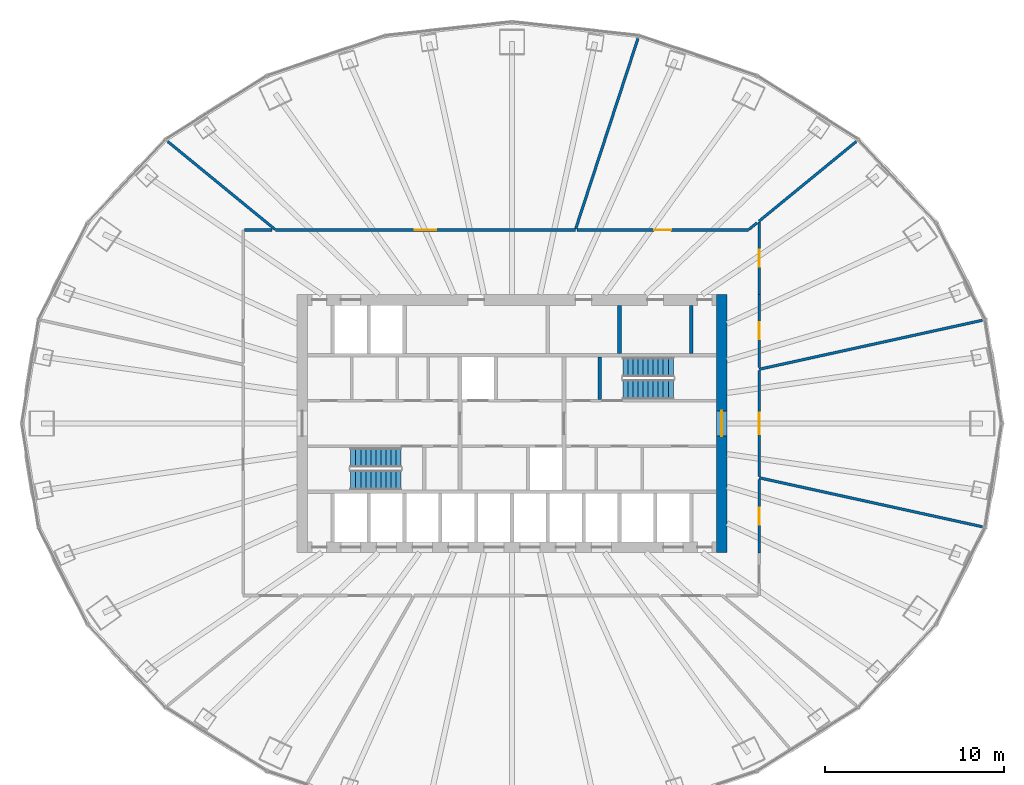
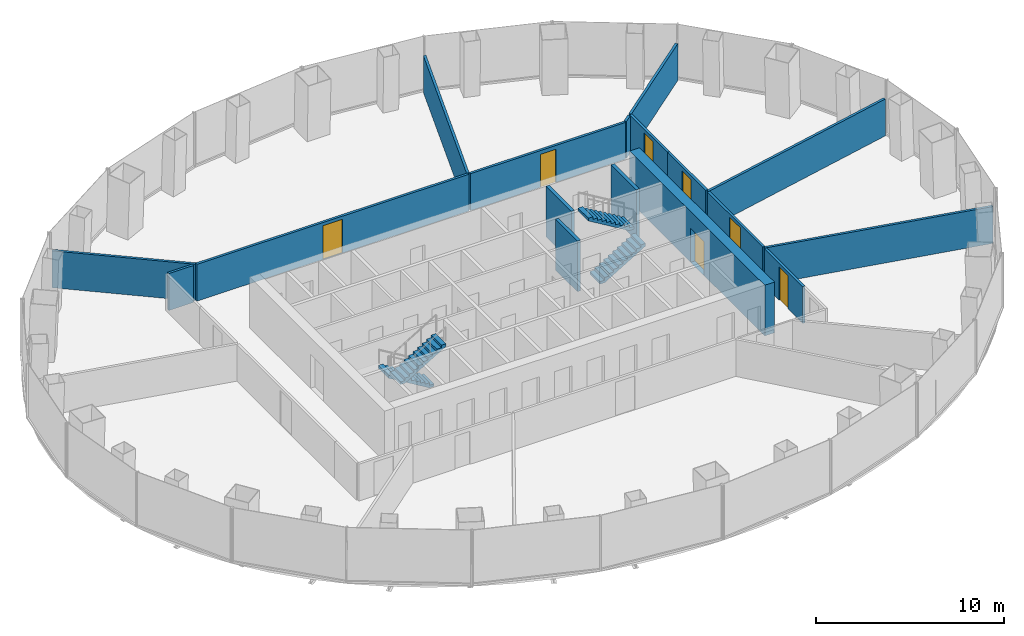
# One storey, part 10 of 11: 17 walls, 7 doors, 4 stair flights, 7 openings, 2 elements without a shape of their own.
"""IFC4 building model written with IfcOpenShell, lengths in metres."""

from ifc_helpers import new_model, si_unit, direction, frame, frame_2d, origin, place, context, subcontext, project, spatial, polyline, rectangle, outline, extrude, material, layer, layer_set, type_object, element, fill, aggregate, save


model = new_model("IFC4")

# Units and contexts
model_context = context("Model", 3, precision=1e-05, world=origin(), true_north=direction((0.0, 1.0)))
body_context = subcontext(model_context, "Body", "Model", "MODEL_VIEW")
ifc_project = project(units=[si_unit("LENGTHUNIT", "METRE"), si_unit("AREAUNIT", "SQUARE_METRE"), si_unit("VOLUMEUNIT", "CUBIC_METRE"), si_unit("PLANEANGLEUNIT", "RADIAN"), si_unit("MASSUNIT", "GRAM", prefix="KILO")], contexts=[model_context])

# Site, building, storey
site_placement = place(None, origin())
site = spatial("IfcSite", under=ifc_project, at=site_placement, CompositionType="ELEMENT")
building_placement = place(site_placement, origin())
building = spatial("IfcBuilding", under=site, at=building_placement, Name="Siaravel Broadcast Tower", CompositionType="ELEMENT")
storey_placement = place(building_placement, frame((0.0, 0.0, 63.0)))
storey = spatial("IfcBuildingStorey", under=building, at=storey_placement, Name="L14", CompositionType="ELEMENT", Elevation=63.0)

# Wall
ifc_material_1 = material(Name="Concrete blockwork", Category="masonry")
ifc_layer_1 = layer(ifc_material_1, 0.199951171875)
ifc_layer_set_1 = layer_set([ifc_layer_1], Name="Concrete blockwork")
wall_type_1 = type_object("IfcWallType", Name="Core partition 200", PredefinedType="PARTITIONING", material=ifc_layer_set_1)
wall_1_placement = place(storey_placement, frame((6.0, 3.89990234375, 0.0), z_axis=(0.0, 0.0, 1.0), x_axis=(0.0, 1.0, 0.0)))
element("IfcWall", 1, at=wall_1_placement, inside=storey, type_object=wall_type_1, Name="L14 core partition PFN6", PredefinedType="PARTITIONING", context=body_context, shape_type="SweptSolid", body=[
    extrude(rectangle(XDim=2.7001953125, YDim=0.199951171875, at=frame_2d((1.35009765625, 0.0))), origin(), (0.0, 0.0, 1.0), 3.300048828125),
])

# Wall, opening, door
ifc_material_2 = material(Name="Concrete C60/75", Category="concrete")
ifc_layer_2 = layer(ifc_material_2, 0.60009765625)
ifc_layer_set_2 = layer_set([ifc_layer_2], Name="Concrete C60/75")
wall_type_2 = type_object("IfcWallType", Name="Core wall 600", PredefinedType="SHEAR", material=ifc_layer_set_2)
wall_2_placement = place(storey_placement, frame((11.699951171875, -7.199951171875, 0.0), z_axis=(0.0, 0.0, 1.0), x_axis=(0.0, 1.0, 0.0)))
wall_2 = element("IfcWall", 2, at=wall_2_placement, inside=storey, type_object=wall_type_2, Name="L14 core wall OE", PredefinedType="SHEAR", context=body_context, shape_type="SweptSolid", body=[
    extrude(rectangle(XDim=14.39990234375, YDim=0.60009765625, at=frame_2d((7.199951171875, 0.0))), origin(), (0.0, 0.0, 1.0), 3.300048828125),
])
opening_1_placement = place(wall_2_placement, frame((6.5, 0.0, 0.0)))
opening_1 = element("IfcOpeningElement", 3, at=opening_1_placement, cuts=wall_2, Name="Opening L14-DX-E", PredefinedType="OPENING", context=body_context, shape_type="SweptSolid", body=[
    extrude(rectangle(XDim=1.39990234375, YDim=2.199951171875, at=frame_2d((0.699951171875, 1.10009765625))), frame((0.0, 0.31005859375, 0.0), z_axis=(0.0, -1.0, 0.0), x_axis=(1.0, 0.0, 0.0)), (0.0, 0.0, 1.0), 0.6201171875),
])
ifc_material_3 = material(Name="Steel", Category="steel")
door_type_1 = type_object("IfcDoorType", Name="Core exit door 1400", OperationType="DOUBLE_DOOR_SINGLE_SWING", PredefinedType="DOOR", material=ifc_material_3)
door_1_placement = place(opening_1_placement, origin())
door_1 = element("IfcDoor", 4, at=door_1_placement, inside=storey, type_object=door_type_1, Name="L14 door DX-E", OperationType="DOUBLE_DOOR_SINGLE_SWING", OverallHeight=2.199951171875, OverallWidth=1.39990234375, PredefinedType="DOOR", context=body_context, shape_type="SweptSolid", body=[
    extrude(rectangle(XDim=1.39990234375, YDim=2.199951171875, at=frame_2d((0.699951171875, 1.10009765625))), frame((0.0, 0.02490234375, 0.0), z_axis=(0.0, -1.0, 0.0), x_axis=(1.0, 0.0, 0.0)), (0.0, 0.0, 1.0), 0.050048828125),
])
fill(opening_1, door_1)

ifc_material_4 = material(Name="Gypsum board partition", Category="gypsum")
ifc_layer_3 = layer(ifc_material_4, 0.14990234375)
ifc_layer_set_3 = layer_set([ifc_layer_3], Name="Gypsum board partition")
wall_type_3 = type_object("IfcWallType", Name="Corridor wall 150", PredefinedType="PARTITIONING", material=ifc_layer_set_3)
wall_3_placement = place(storey_placement, frame((3.532958984375, 10.800048828125, 0.0), z_axis=(0.0, 0.0, 1.0), x_axis=(-1.0, 0.0, 0.0)))
wall_3 = element("IfcWall", 5, at=wall_3_placement, inside=storey, type_object=wall_type_3, Name="L14 partition 1", PredefinedType="PARTITIONING", context=body_context, shape_type="SweptSolid", body=[
    extrude(rectangle(XDim=16.718017578125, YDim=0.14990234375, at=frame_2d((8.35888671875, 0.0))), origin(), (0.0, 0.0, 1.0), 2.39990234375),
])
opening_2_placement = place(wall_3_placement, frame((7.759033203125, 0.0, 0.0)))
opening_2 = element("IfcOpeningElement", 6, at=opening_2_placement, cuts=wall_3, Name="Opening L14-007", PredefinedType="OPENING", context=body_context, shape_type="SweptSolid", body=[
    extrude(rectangle(XDim=1.199951171875, YDim=2.199951171875, at=frame_2d((0.60009765625, 1.10009765625))), frame((0.0, 0.0849609375, 0.0), z_axis=(0.0, -1.0, 0.0), x_axis=(1.0, 0.0, 0.0)), (0.0, 0.0, 1.0), 0.169921875),
])
ifc_material_5 = material(Name="Timber veneer", Category="wood")
door_type_2 = type_object("IfcDoorType", Name="Office double door 1200", OperationType="DOUBLE_DOOR_SINGLE_SWING", PredefinedType="DOOR", material=ifc_material_5)
door_2_placement = place(opening_2_placement, origin())
door_2 = element("IfcDoor", 7, at=door_2_placement, inside=storey, type_object=door_type_2, Name="L14 door to Open plan newsroom", OperationType="DOUBLE_DOOR_SINGLE_SWING", OverallHeight=2.199951171875, OverallWidth=1.199951171875, PredefinedType="DOOR", context=body_context, shape_type="SweptSolid", body=[
    extrude(rectangle(XDim=1.199951171875, YDim=2.199951171875, at=frame_2d((0.60009765625, 1.10009765625))), frame((0.0, 0.02490234375, 0.0), z_axis=(0.0, -1.0, 0.0), x_axis=(1.0, 0.0, 0.0)), (0.0, 0.0, 1.0), 0.050048828125),
])
fill(opening_2, door_2)

wall_4_placement = place(storey_placement, frame((13.18505859375, 10.800048828125, 0.0), z_axis=(0.0, 0.0, 1.0), x_axis=(-1.0, 0.0, 0.0)))
wall_4 = element("IfcWall", 8, at=wall_4_placement, inside=storey, type_object=wall_type_3, Name="L14 partition 12", PredefinedType="PARTITIONING", context=body_context, shape_type="SweptSolid", body=[
    extrude(rectangle(XDim=9.546630859375, YDim=0.14990234375, at=frame_2d((4.7734375, 0.0))), origin(), (0.0, 0.0, 1.0), 2.39990234375),
])
opening_3_placement = place(wall_4_placement, frame((4.29833984375, 0.0, 0.0)))
opening_3 = element("IfcOpeningElement", 9, at=opening_3_placement, cuts=wall_4, Name="Opening L14-006", PredefinedType="OPENING", context=body_context, shape_type="SweptSolid", body=[
    extrude(rectangle(XDim=0.949951171875, YDim=2.14990234375, at=frame_2d((0.47509765625, 1.074951171875))), frame((0.0, 0.0849609375, 0.0), z_axis=(0.0, -1.0, 0.0), x_axis=(1.0, 0.0, 0.0)), (0.0, 0.0, 1.0), 0.169921875),
])
door_type_3 = type_object("IfcDoorType", Name="Office door 950", OperationType="SINGLE_SWING_LEFT", PredefinedType="DOOR", material=ifc_material_5)
door_3_placement = place(opening_3_placement, origin())
door_3 = element("IfcDoor", 10, at=door_3_placement, inside=storey, type_object=door_type_3, Name="L14 door to Graphics studio", OperationType="SINGLE_SWING_RIGHT", OverallHeight=2.14990234375, OverallWidth=0.949951171875, PredefinedType="DOOR", context=body_context, shape_type="SweptSolid", body=[
    extrude(rectangle(XDim=0.949951171875, YDim=2.14990234375, at=frame_2d((0.47509765625, 1.074951171875))), frame((0.0, 0.02490234375, 0.0), z_axis=(0.0, -1.0, 0.0), x_axis=(1.0, 0.0, 0.0)), (0.0, 0.0, 1.0), 0.050048828125),
])
fill(opening_3, door_3)

wall_5_placement = place(storey_placement, frame((13.800048828125, -2.95361328125, 0.0), z_axis=(0.0, 0.0, 1.0), x_axis=(0.0, 1.0, 0.0)))
wall_5 = element("IfcWall", 11, at=wall_5_placement, inside=storey, type_object=wall_type_3, Name="L14 partition 16", PredefinedType="PARTITIONING", context=body_context, shape_type="SweptSolid", body=[
    extrude(rectangle(XDim=5.9072265625, YDim=0.14990234375, at=frame_2d((2.95361328125, 0.0))), origin(), (0.0, 0.0, 1.0), 2.39990234375),
])
opening_4_placement = place(wall_5_placement, frame((2.353515625, 0.0, 0.0)))
opening_4 = element("IfcOpeningElement", 12, at=opening_4_placement, cuts=wall_5, Name="Opening L14-003", PredefinedType="OPENING", context=body_context, shape_type="SweptSolid", body=[
    extrude(rectangle(XDim=1.199951171875, YDim=2.199951171875, at=frame_2d((0.60009765625, 1.10009765625))), frame((0.0, 0.0849609375, 0.0), z_axis=(0.0, -1.0, 0.0), x_axis=(1.0, 0.0, 0.0)), (0.0, 0.0, 1.0), 0.169921875),
])
door_4_placement = place(opening_4_placement, origin())
door_4 = element("IfcDoor", 13, at=door_4_placement, inside=storey, type_object=door_type_2, Name="L14 door to Newsroom desk office", OperationType="DOUBLE_DOOR_SINGLE_SWING", OverallHeight=2.199951171875, OverallWidth=1.199951171875, PredefinedType="DOOR", context=body_context, shape_type="SweptSolid", body=[
    extrude(rectangle(XDim=1.199951171875, YDim=2.199951171875, at=frame_2d((0.60009765625, 1.10009765625))), frame((0.0, 0.02490234375, 0.0), z_axis=(0.0, -1.0, 0.0), x_axis=(1.0, 0.0, 0.0)), (0.0, 0.0, 1.0), 0.050048828125),
])
fill(opening_4, door_4)

wall_6_placement = place(storey_placement, frame((13.800048828125, -7.2119140625, 0.0), z_axis=(0.0, 0.0, 1.0), x_axis=(0.0, 1.0, 0.0)))
wall_6 = element("IfcWall", 14, at=wall_6_placement, inside=storey, type_object=wall_type_3, Name="L14 partition 17", PredefinedType="PARTITIONING", context=body_context, shape_type="SweptSolid", body=[
    extrude(rectangle(XDim=4.087890625, YDim=0.14990234375, at=frame_2d((2.0439453125, 0.0))), origin(), (0.0, 0.0, 1.0), 2.39990234375),
])
opening_5_placement = place(wall_6_placement, frame((1.569091796875, 0.0, 0.0)))
opening_5 = element("IfcOpeningElement", 15, at=opening_5_placement, cuts=wall_6, Name="Opening L14-001", PredefinedType="OPENING", context=body_context, shape_type="SweptSolid", body=[
    extrude(rectangle(XDim=0.949951171875, YDim=2.14990234375, at=frame_2d((0.47509765625, 1.074951171875))), frame((0.0, 0.0849609375, 0.0), z_axis=(0.0, -1.0, 0.0), x_axis=(1.0, 0.0, 0.0)), (0.0, 0.0, 1.0), 0.169921875),
])
door_5_placement = place(opening_5_placement, origin())
door_5 = element("IfcDoor", 16, at=door_5_placement, inside=storey, type_object=door_type_3, Name="L14 door to Graphics studio", OperationType="SINGLE_SWING_LEFT", OverallHeight=2.14990234375, OverallWidth=0.949951171875, PredefinedType="DOOR", context=body_context, shape_type="SweptSolid", body=[
    extrude(rectangle(XDim=0.949951171875, YDim=2.14990234375, at=frame_2d((0.47509765625, 1.074951171875))), frame((0.0, 0.02490234375, 0.0), z_axis=(0.0, -1.0, 0.0), x_axis=(1.0, 0.0, 0.0)), (0.0, 0.0, 1.0), 0.050048828125),
])
fill(opening_5, door_5)

wall_7_placement = place(storey_placement, frame((13.800048828125, 3.1240234375, 0.0), z_axis=(0.0, 0.0, 1.0), x_axis=(0.0, 1.0, 0.0)))
wall_7 = element("IfcWall", 17, at=wall_7_placement, inside=storey, type_object=wall_type_3, Name="L14 partition 18", PredefinedType="PARTITIONING", context=body_context, shape_type="SweptSolid", body=[
    extrude(rectangle(XDim=4.087890625, YDim=0.14990234375, at=frame_2d((2.0439453125, 0.0))), origin(), (0.0, 0.0, 1.0), 2.39990234375),
])
opening_6_placement = place(wall_7_placement, frame((1.569091796875, 0.0, 0.0)))
opening_6 = element("IfcOpeningElement", 18, at=opening_6_placement, cuts=wall_7, Name="Opening L14-004", PredefinedType="OPENING", context=body_context, shape_type="SweptSolid", body=[
    extrude(rectangle(XDim=0.949951171875, YDim=2.14990234375, at=frame_2d((0.47509765625, 1.074951171875))), frame((0.0, 0.0849609375, 0.0), z_axis=(0.0, -1.0, 0.0), x_axis=(1.0, 0.0, 0.0)), (0.0, 0.0, 1.0), 0.169921875),
])
door_6_placement = place(opening_6_placement, origin())
door_6 = element("IfcDoor", 19, at=door_6_placement, inside=storey, type_object=door_type_3, Name="L14 door to Graphics studio", OperationType="SINGLE_SWING_RIGHT", OverallHeight=2.14990234375, OverallWidth=0.949951171875, PredefinedType="DOOR", context=body_context, shape_type="SweptSolid", body=[
    extrude(rectangle(XDim=0.949951171875, YDim=2.14990234375, at=frame_2d((0.47509765625, 1.074951171875))), frame((0.0, 0.02490234375, 0.0), z_axis=(0.0, -1.0, 0.0), x_axis=(1.0, 0.0, 0.0)), (0.0, 0.0, 1.0), 0.050048828125),
])
fill(opening_6, door_6)

wall_8_placement = place(storey_placement, frame((13.800048828125, 7.212890625, 0.0), z_axis=(0.0, 0.0, 1.0), x_axis=(0.0, 1.0, 0.0)))
wall_8 = element("IfcWall", 20, at=wall_8_placement, inside=storey, type_object=wall_type_3, Name="L14 partition 19", PredefinedType="PARTITIONING", context=body_context, shape_type="SweptSolid", body=[
    extrude(rectangle(XDim=4.02099609375, YDim=0.14990234375, at=frame_2d((2.010498046875, 0.0))), origin(), (0.0, 0.0, 1.0), 2.39990234375),
])
opening_7_placement = place(wall_8_placement, frame((1.535400390625, 0.0, 0.0)))
opening_7 = element("IfcOpeningElement", 21, at=opening_7_placement, cuts=wall_8, Name="Opening L14-005", PredefinedType="OPENING", context=body_context, shape_type="SweptSolid", body=[
    extrude(rectangle(XDim=0.949951171875, YDim=2.14990234375, at=frame_2d((0.47509765625, 1.074951171875))), frame((0.0, 0.0849609375, 0.0), z_axis=(0.0, -1.0, 0.0), x_axis=(1.0, 0.0, 0.0)), (0.0, 0.0, 1.0), 0.169921875),
])
door_7_placement = place(opening_7_placement, origin())
door_7 = element("IfcDoor", 22, at=door_7_placement, inside=storey, type_object=door_type_3, Name="L14 door to Graphics studio", OperationType="SINGLE_SWING_LEFT", OverallHeight=2.14990234375, OverallWidth=0.949951171875, PredefinedType="DOOR", context=body_context, shape_type="SweptSolid", body=[
    extrude(rectangle(XDim=0.949951171875, YDim=2.14990234375, at=frame_2d((0.47509765625, 1.074951171875))), frame((0.0, 0.02490234375, 0.0), z_axis=(0.0, -1.0, 0.0), x_axis=(1.0, 0.0, 0.0)), (0.0, 0.0, 1.0), 0.050048828125),
])
fill(opening_7, door_7)

# Walls
wall_9_placement = place(storey_placement, frame((-13.39697265625, 10.800048828125, 0.0), z_axis=(0.0, 0.0, 1.0), x_axis=(-1.0, 0.0, 0.0)))
element("IfcWall", 23, at=wall_9_placement, inside=storey, type_object=wall_type_3, Name="L14 partition 27", PredefinedType="PARTITIONING", context=body_context, shape_type="SweptSolid", body=[
    extrude(rectangle(XDim=1.526123046875, YDim=0.14990234375, at=frame_2d((0.76318359375, 0.0))), origin(), (0.0, 0.0, 1.0), 2.39990234375),
])
wall_10_placement = place(storey_placement, frame((13.67578125, 11.201904296875, 0.0), z_axis=(0.0, 0.0, 1.0), x_axis=(-0.773566552, -0.63371507, 0.0)))
element("IfcWall", 24, at=wall_10_placement, inside=storey, type_object=wall_type_3, Name="L14 partition 28", PredefinedType="PARTITIONING", context=body_context, shape_type="SweptSolid", body=[
    extrude(rectangle(XDim=0.584716796875, YDim=0.14990234375, at=frame_2d((0.29248046875, 0.0))), origin(), (0.0, 0.0, 1.0), 2.39990234375),
])
ifc_layer_4 = layer(ifc_material_4, 0.14990234375)
ifc_layer_set_4 = layer_set([ifc_layer_4], Name="Gypsum board partition")
wall_type_4 = type_object("IfcWallType", Name="Room partition 150", PredefinedType="PARTITIONING", material=ifc_layer_set_4)
wall_11_placement = place(storey_placement, frame((26.25048828125, -5.761474609375, 0.0), z_axis=(0.0, 0.0, 1.0), x_axis=(-0.976750213, 0.214380554, 0.0)))
element("IfcWall", 25, at=wall_11_placement, inside=storey, type_object=wall_type_4, Name="L14 partition 3", PredefinedType="PARTITIONING", context=body_context, shape_type="SweptSolid", body=[
    extrude(rectangle(XDim=12.746826171875, YDim=0.14990234375, at=frame_2d((6.37353515625, 0.0))), origin(), (0.0, 0.0, 1.0), 2.39990234375),
])
wall_12_placement = place(storey_placement, frame((26.249267578125, 5.76123046875, 0.0), z_axis=(0.0, 0.0, 1.0), x_axis=(-0.976749822, -0.214382335, 0.0)))
element("IfcWall", 26, at=wall_12_placement, inside=storey, type_object=wall_type_4, Name="L14 partition 4", PredefinedType="PARTITIONING", context=body_context, shape_type="SweptSolid", body=[
    extrude(rectangle(XDim=12.74560546875, YDim=0.14990234375, at=frame_2d((6.372802734375, 0.0))), origin(), (0.0, 0.0, 1.0), 2.39990234375),
])
wall_13_placement = place(storey_placement, frame((7.027587890625, 21.48291015625, 0.0), z_axis=(0.0, 0.0, 1.0), x_axis=(-0.31091662, -0.950437192, 0.0)))
element("IfcWall", 27, at=wall_13_placement, inside=storey, type_object=wall_type_4, Name="L14 partition 8", PredefinedType="PARTITIONING", context=body_context, shape_type="SweptSolid", body=[
    extrude(rectangle(XDim=11.166748046875, YDim=0.14990234375, at=frame_2d((5.58349609375, 0.0))), origin(), (0.0, 0.0, 1.0), 2.39990234375),
])
wall_14_placement = place(storey_placement, frame((-19.20849609375, 15.73388671875, 0.0), z_axis=(0.0, 0.0, 1.0), x_axis=(0.773597247, -0.633677598, 0.0)))
element("IfcWall", 28, at=wall_14_placement, inside=storey, type_object=wall_type_4, Name="L14 partition 13", PredefinedType="PARTITIONING", context=body_context, shape_type="SweptSolid", body=[
    extrude(rectangle(XDim=7.73681640625, YDim=0.14990234375, at=frame_2d((3.868408203125, 0.0))), origin(), (0.0, 0.0, 1.0), 2.39990234375),
])
wall_15_placement = place(storey_placement, frame((19.20703125, 15.732666015625, 0.0), z_axis=(0.0, 0.0, 1.0), x_axis=(-0.773587592, -0.633689385, 0.0)))
element("IfcWall", 29, at=wall_15_placement, inside=storey, type_object=wall_type_4, Name="L14 partition 14", PredefinedType="PARTITIONING", context=body_context, shape_type="SweptSolid", body=[
    extrude(rectangle(XDim=7.0048828125, YDim=0.14990234375, at=frame_2d((3.50244140625, 0.0))), origin(), (0.0, 0.0, 1.0), 2.39990234375),
])
ifc_layer_5 = layer(ifc_material_2, 0.199951171875)
ifc_layer_set_5 = layer_set([ifc_layer_5], Name="Concrete C60/75")
wall_type_5 = type_object("IfcWallType", Name="Shaft wall 200", PredefinedType="SHEAR", material=ifc_layer_set_5)
wall_16_placement = place(storey_placement, frame((10.0, 3.89990234375, 0.0), z_axis=(0.0, 0.0, 1.0), x_axis=(0.0, 1.0, 0.0)))
element("IfcWall", 30, at=wall_16_placement, inside=storey, type_object=wall_type_5, Name="L14 core wall SWN10", PredefinedType="SHEAR", context=body_context, shape_type="SweptSolid", body=[
    extrude(rectangle(XDim=2.7001953125, YDim=0.199951171875, at=frame_2d((1.35009765625, 0.0))), origin(), (0.0, 0.0, 1.0), 3.300048828125),
])
wall_17_placement = place(storey_placement, frame((4.89990234375, 1.35009765625, 0.0), z_axis=(0.0, 0.0, 1.0), x_axis=(0.0, 1.0, 0.0)))
element("IfcWall", 31, at=wall_17_placement, inside=storey, type_object=wall_type_5, Name="L14 core wall ST2W", PredefinedType="SHEAR", context=body_context, shape_type="SweptSolid", body=[
    extrude(rectangle(XDim=2.349853515625, YDim=0.199951171875, at=frame_2d((1.1748046875, 0.0))), origin(), (0.0, 0.0, 1.0), 3.300048828125),
])

# Stair, stair flights
ifc_material_6 = material(Name="Concrete C40/50", Category="concrete")
stair_type = type_object("IfcStairType", Name="Core exit stair", PredefinedType="HALF_TURN_STAIR", material=ifc_material_6)
stair_1_placement = place(storey_placement, origin())
stair_1 = element("IfcStair", 32, at=stair_1_placement, inside=storey, type_object=stair_type, Name="L14 Exit stair ST-1", PredefinedType="HALF_TURN_STAIR")
stair_flight_type = type_object("IfcStairFlightType", Name="Stair flight 1100", PredefinedType="STRAIGHT", material=ifc_material_6)
stair_flight_1_placement = place(storey_placement, frame((-6.199951171875, -1.89990234375, 0.0), z_axis=(0.0, 0.0, 1.0), x_axis=(-1.0, 0.0, 0.0)))
stair_flight_1 = element("IfcStairFlight", 33, at=stair_flight_1_placement, type_object=stair_flight_type, Name="ST-1 flight 1", NumberOfRisers=11, NumberOfTreads=10, PredefinedType="STRAIGHT", RiserHeight=0.1681818, TreadLength=0.28, context=body_context, shape_type="SweptSolid", body=[
    extrude(outline(polyline([(0.0, 0.0), (0.0, 0.168212890625), (0.280029296875, 0.168212890625), (0.280029296875, 0.33642578125), (0.56005859375, 0.33642578125), (0.56005859375, 0.504638671875), (0.840087890625, 0.504638671875), (0.840087890625, 0.672607421875), (1.1201171875, 0.672607421875), (1.1201171875, 0.8408203125), (1.39990234375, 0.8408203125), (1.39990234375, 1.009033203125), (1.679931640625, 1.009033203125), (1.679931640625, 1.17724609375), (1.9599609375, 1.17724609375), (1.9599609375, 1.345458984375), (2.239990234375, 1.345458984375), (2.239990234375, 1.513671875), (2.52001953125, 1.513671875), (2.52001953125, 1.681884765625), (2.800048828125, 1.681884765625), (2.800048828125, 1.85009765625), (2.800048828125, 1.5068359375), (0.291015625, 0.0), (0.0, 0.0)])), frame((0.0, 0.550048828125, 0.0), z_axis=(0.0, -1.0, 0.0), x_axis=(1.0, 0.0, 0.0)), (0.0, 0.0, 1.0), 1.10009765625),
])
stair_flight_2_placement = place(storey_placement, frame((-9.0, -3.14990234375, 1.85009765625), z_axis=(0.0, 0.0, 1.0), x_axis=(1.0, 0.0, 0.0)))
stair_flight_2 = element("IfcStairFlight", 34, at=stair_flight_2_placement, type_object=stair_flight_type, Name="ST-1 flight 2", NumberOfRisers=11, NumberOfTreads=10, PredefinedType="STRAIGHT", RiserHeight=0.1681818, TreadLength=0.28, context=body_context, shape_type="SweptSolid", body=[
    extrude(outline(polyline([(0.0, 0.0), (0.0, 0.168212890625), (0.280029296875, 0.168212890625), (0.280029296875, 0.33642578125), (0.56005859375, 0.33642578125), (0.56005859375, 0.504638671875), (0.840087890625, 0.504638671875), (0.840087890625, 0.672607421875), (1.1201171875, 0.672607421875), (1.1201171875, 0.8408203125), (1.39990234375, 0.8408203125), (1.39990234375, 1.009033203125), (1.679931640625, 1.009033203125), (1.679931640625, 1.17724609375), (1.9599609375, 1.17724609375), (1.9599609375, 1.345458984375), (2.239990234375, 1.345458984375), (2.239990234375, 1.513671875), (2.52001953125, 1.513671875), (2.52001953125, 1.681884765625), (2.800048828125, 1.681884765625), (2.800048828125, 1.85009765625), (2.800048828125, 1.5068359375), (0.291015625, 0.0), (0.0, 0.0)])), frame((0.0, 0.550048828125, 0.0), z_axis=(0.0, -1.0, 0.0), x_axis=(1.0, 0.0, 0.0)), (0.0, 0.0, 1.0), 1.10009765625),
])
aggregate(stair_1, [stair_flight_1, stair_flight_2])

stair_2_placement = place(storey_placement, origin())
stair_2 = element("IfcStair", 35, at=stair_2_placement, inside=storey, type_object=stair_type, Name="L14 Exit stair ST-2", PredefinedType="HALF_TURN_STAIR")
stair_flight_3_placement = place(storey_placement, frame((6.199951171875, 1.89990234375, 0.0), z_axis=(0.0, 0.0, 1.0), x_axis=(1.0, 0.0, 0.0)))
stair_flight_3 = element("IfcStairFlight", 36, at=stair_flight_3_placement, type_object=stair_flight_type, Name="ST-2 flight 1", NumberOfRisers=11, NumberOfTreads=10, PredefinedType="STRAIGHT", RiserHeight=0.1681818, TreadLength=0.28, context=body_context, shape_type="SweptSolid", body=[
    extrude(outline(polyline([(0.0, 0.0), (0.0, 0.168212890625), (0.280029296875, 0.168212890625), (0.280029296875, 0.33642578125), (0.56005859375, 0.33642578125), (0.56005859375, 0.504638671875), (0.840087890625, 0.504638671875), (0.840087890625, 0.672607421875), (1.1201171875, 0.672607421875), (1.1201171875, 0.8408203125), (1.39990234375, 0.8408203125), (1.39990234375, 1.009033203125), (1.679931640625, 1.009033203125), (1.679931640625, 1.17724609375), (1.9599609375, 1.17724609375), (1.9599609375, 1.345458984375), (2.239990234375, 1.345458984375), (2.239990234375, 1.513671875), (2.52001953125, 1.513671875), (2.52001953125, 1.681884765625), (2.800048828125, 1.681884765625), (2.800048828125, 1.85009765625), (2.800048828125, 1.5068359375), (0.291015625, 0.0), (0.0, 0.0)])), frame((0.0, 0.550048828125, 0.0), z_axis=(0.0, -1.0, 0.0), x_axis=(1.0, 0.0, 0.0)), (0.0, 0.0, 1.0), 1.10009765625),
])
stair_flight_4_placement = place(storey_placement, frame((9.0, 3.14990234375, 1.85009765625), z_axis=(0.0, 0.0, 1.0), x_axis=(-1.0, 0.0, 0.0)))
stair_flight_4 = element("IfcStairFlight", 37, at=stair_flight_4_placement, type_object=stair_flight_type, Name="ST-2 flight 2", NumberOfRisers=11, NumberOfTreads=10, PredefinedType="STRAIGHT", RiserHeight=0.1681818, TreadLength=0.28, context=body_context, shape_type="SweptSolid", body=[
    extrude(outline(polyline([(0.0, 0.0), (0.0, 0.168212890625), (0.280029296875, 0.168212890625), (0.280029296875, 0.33642578125), (0.56005859375, 0.33642578125), (0.56005859375, 0.504638671875), (0.840087890625, 0.504638671875), (0.840087890625, 0.672607421875), (1.1201171875, 0.672607421875), (1.1201171875, 0.8408203125), (1.39990234375, 0.8408203125), (1.39990234375, 1.009033203125), (1.679931640625, 1.009033203125), (1.679931640625, 1.17724609375), (1.9599609375, 1.17724609375), (1.9599609375, 1.345458984375), (2.239990234375, 1.345458984375), (2.239990234375, 1.513671875), (2.52001953125, 1.513671875), (2.52001953125, 1.681884765625), (2.800048828125, 1.681884765625), (2.800048828125, 1.85009765625), (2.800048828125, 1.5068359375), (0.291015625, 0.0), (0.0, 0.0)])), frame((0.0, 0.550048828125, 0.0), z_axis=(0.0, -1.0, 0.0), x_axis=(1.0, 0.0, 0.0)), (0.0, 0.0, 1.0), 1.10009765625),
])
aggregate(stair_2, [stair_flight_3, stair_flight_4])

save(model, "model.ifc")
